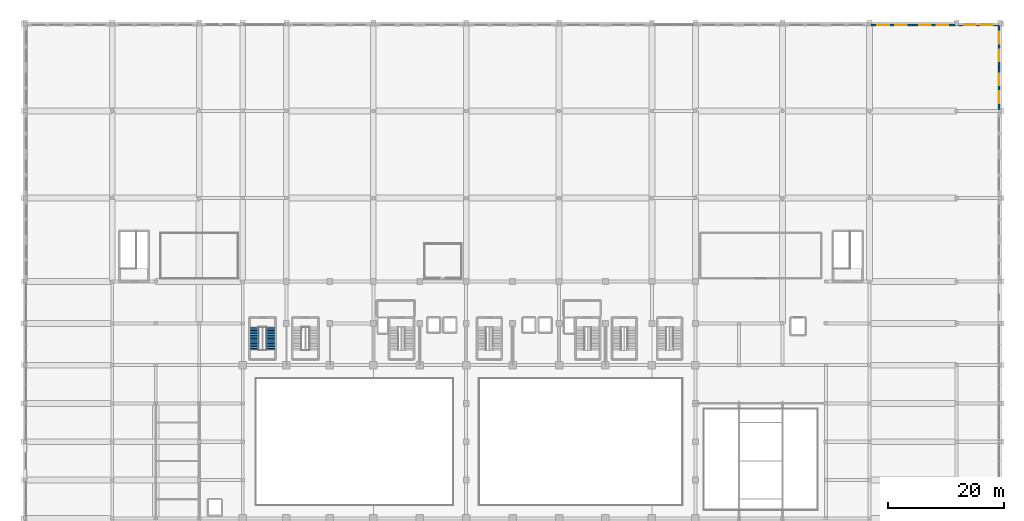
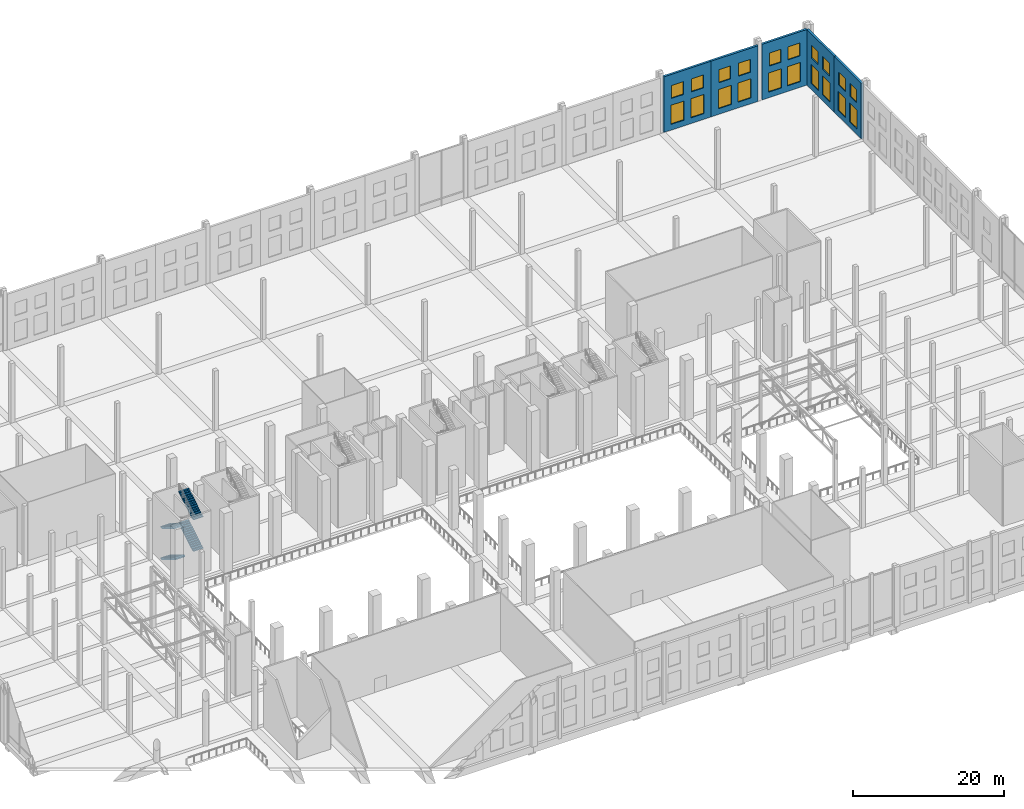
# One storey, part 73 of 80: 20 windows, 5 walls, 4 stair flights, 20 openings, 1 element without a shape of its own.
"""IFC4 building model written with IfcOpenShell, lengths in metres."""

from ifc_helpers import new_model, si_unit, direction, frame, frame_2d, origin, place, context, subcontext, project, spatial, polyline, rectangle, outline, extrude, material, layer, layer_set, type_object, element, fill, aggregate, save


model = new_model("IFC4")

# Units and contexts
model_context = context("Model", 3, precision=1e-05, world=origin(), true_north=direction((0.0, 1.0)))
body_context = subcontext(model_context, "Body", "Model", "MODEL_VIEW")
ifc_project = project(units=[si_unit("LENGTHUNIT", "METRE"), si_unit("AREAUNIT", "SQUARE_METRE"), si_unit("VOLUMEUNIT", "CUBIC_METRE"), si_unit("PLANEANGLEUNIT", "RADIAN"), si_unit("MASSUNIT", "GRAM", prefix="KILO")], contexts=[model_context])

# Site, building, storey
site_placement = place(None, origin())
site = spatial("IfcSite", under=ifc_project, at=site_placement, CompositionType="ELEMENT")
building_placement = place(site_placement, origin())
building = spatial("IfcBuilding", under=site, at=building_placement, Name="Akrevak Sports Hall", CompositionType="ELEMENT")
storey_placement = place(building_placement, frame((0.0, 0.0, 14.0)))
storey = spatial("IfcBuildingStorey", under=building, at=storey_placement, Name="L03", CompositionType="ELEMENT", Elevation=14.0)

# Wall, openings, windows
ifc_material_1 = material(Name="Limestone Ashlar", Category="stone")
ifc_layer_1 = layer(ifc_material_1, 0.070068359375, Name="Limestone Ashlar")
ifc_material_2 = material(Name="Mineral Wool Thermal Insulation", Category="insulation")
ifc_layer_2 = layer(ifc_material_2, 0.10009765625, Name="Mineral Wool Thermal Insulation")
ifc_material_3 = material(Name="Concrete C40/50", Category="concrete")
ifc_layer_3 = layer(ifc_material_3, 0.169921875, Name="Concrete C40/50")
ifc_layer_set = layer_set([ifc_layer_1, ifc_layer_2, ifc_layer_3], Name="Limestone Ashlar / Mineral Wool Thermal Insulation / Concrete C40/50")
wall_type = type_object("IfcWallType", Name="ARC-WL-EXT-340", PredefinedType="SOLIDWALL", material=ifc_layer_set)
wall_1_placement = place(storey_placement, frame((153.0, 113.830078125, 0.0), z_axis=(0.0, 0.0, 1.0), x_axis=(-1.0, 0.0, 0.0)))
wall_1 = element("IfcWall", 1, at=wall_1_placement, inside=storey, type_object=wall_type, Name="Exterior Limestone Wall L03-N20", PredefinedType="SOLIDWALL", context=body_context, shape_type="SweptSolid", body=[
    extrude(rectangle(XDim=7.22509765625, YDim=0.340087890625, at=frame_2d((3.612548828125, 0.0))), origin(), (0.0, 0.0, 1.0), 9.0),
])
opening_1_placement = place(wall_1_placement, frame((4.1298828125, 0.0, 0.919921875)))
opening_1 = element("IfcOpeningElement", 2, at=opening_1_placement, cuts=wall_1, Name="Opening WN-41", PredefinedType="OPENING", context=body_context, shape_type="SweptSolid", body=[
    extrude(rectangle(XDim=2.0, YDim=3.10009765625, at=frame_2d((1.0, 1.550048828125))), frame((0.0, 0.18212890625, 0.0), z_axis=(0.0, -1.0, 0.0), x_axis=(1.0, 0.0, 0.0)), (0.0, 0.0, 1.0), 0.364013671875),
])
opening_2_placement = place(wall_1_placement, frame((4.229736328125, 0.0, 5.10009765625)))
opening_2 = element("IfcOpeningElement", 3, at=opening_2_placement, cuts=wall_1, Name="Opening WN-37", PredefinedType="OPENING", context=body_context, shape_type="SweptSolid", body=[
    extrude(rectangle(XDim=1.800048828125, YDim=2.10009765625, at=frame_2d((0.89990234375, 1.050048828125))), frame((0.0, 0.18212890625, 0.0), z_axis=(0.0, -1.0, 0.0), x_axis=(1.0, 0.0, 0.0)), (0.0, 0.0, 1.0), 0.364013671875),
])
opening_3_placement = place(wall_1_placement, frame((1.09521484375, 0.0, 0.919921875)))
opening_3 = element("IfcOpeningElement", 4, at=opening_3_placement, cuts=wall_1, Name="Opening WN-41", PredefinedType="OPENING", context=body_context, shape_type="SweptSolid", body=[
    extrude(rectangle(XDim=2.0, YDim=3.10009765625, at=frame_2d((1.0, 1.550048828125))), frame((0.0, 0.18212890625, 0.0), z_axis=(0.0, -1.0, 0.0), x_axis=(1.0, 0.0, 0.0)), (0.0, 0.0, 1.0), 0.364013671875),
])
opening_4_placement = place(wall_1_placement, frame((1.1953125, 0.0, 5.10009765625)))
opening_4 = element("IfcOpeningElement", 5, at=opening_4_placement, cuts=wall_1, Name="Opening WN-37", PredefinedType="OPENING", context=body_context, shape_type="SweptSolid", body=[
    extrude(rectangle(XDim=1.800048828125, YDim=2.10009765625, at=frame_2d((0.89990234375, 1.050048828125))), frame((0.0, 0.18212890625, 0.0), z_axis=(0.0, -1.0, 0.0), x_axis=(1.0, 0.0, 0.0)), (0.0, 0.0, 1.0), 0.364013671875),
])
ifc_material_4 = material(Name="Thermally Broken Bronze Frame & Double Low-E Glass", Category="glass")
window_type_1 = type_object("IfcWindowType", Name="ARC-WIN-SZ-1800x2100", PartitioningType="SINGLE_PANEL", PredefinedType="WINDOW", material=ifc_material_4)
window_1_placement = place(opening_2_placement, origin())
window_1 = element("IfcWindow", 6, at=window_1_placement, inside=storey, type_object=window_type_1, Name="Beaux-Arts Attic Clerestory Window WIN-L03-N20-1U", OverallHeight=2.10009765625, OverallWidth=1.800048828125, PartitioningType="SINGLE_PANEL", PredefinedType="WINDOW", context=body_context, shape_type="SweptSolid", body=[
    extrude(rectangle(XDim=1.800048828125, YDim=2.10009765625, at=frame_2d((0.89990234375, 1.050048828125))), frame((0.0, 0.030029296875, 0.0), z_axis=(0.0, -1.0, 0.0), x_axis=(1.0, 0.0, 0.0)), (0.0, 0.0, 1.0), 0.06005859375),
])
fill(opening_2, window_1)
window_2_placement = place(opening_4_placement, origin())
window_2 = element("IfcWindow", 7, at=window_2_placement, inside=storey, type_object=window_type_1, Name="Beaux-Arts Attic Clerestory Window WIN-L03-N20-2U", OverallHeight=2.10009765625, OverallWidth=1.800048828125, PartitioningType="SINGLE_PANEL", PredefinedType="WINDOW", context=body_context, shape_type="SweptSolid", body=[
    extrude(rectangle(XDim=1.800048828125, YDim=2.10009765625, at=frame_2d((0.89990234375, 1.050048828125))), frame((0.0, 0.030029296875, 0.0), z_axis=(0.0, -1.0, 0.0), x_axis=(1.0, 0.0, 0.0)), (0.0, 0.0, 1.0), 0.06005859375),
])
fill(opening_4, window_2)
window_type_2 = type_object("IfcWindowType", Name="ARC-WIN-SZ-2000x3100", PartitioningType="SINGLE_PANEL", PredefinedType="WINDOW", material=ifc_material_4)
window_3_placement = place(opening_1_placement, origin())
window_3 = element("IfcWindow", 8, at=window_3_placement, inside=storey, type_object=window_type_2, Name="Beaux-Arts Facade Window WIN-L03-N20-1", OverallHeight=3.10009765625, OverallWidth=2.0, PartitioningType="SINGLE_PANEL", PredefinedType="WINDOW", context=body_context, shape_type="SweptSolid", body=[
    extrude(rectangle(XDim=2.0, YDim=3.10009765625, at=frame_2d((1.0, 1.550048828125))), frame((0.0, 0.030029296875, 0.0), z_axis=(0.0, -1.0, 0.0), x_axis=(1.0, 0.0, 0.0)), (0.0, 0.0, 1.0), 0.06005859375),
])
fill(opening_1, window_3)
window_4_placement = place(opening_3_placement, origin())
window_4 = element("IfcWindow", 9, at=window_4_placement, inside=storey, type_object=window_type_2, Name="Beaux-Arts Facade Window WIN-L03-N20-2", OverallHeight=3.10009765625, OverallWidth=2.0, PartitioningType="SINGLE_PANEL", PredefinedType="WINDOW", context=body_context, shape_type="SweptSolid", body=[
    extrude(rectangle(XDim=2.0, YDim=3.10009765625, at=frame_2d((1.0, 1.550048828125))), frame((0.0, 0.030029296875, 0.0), z_axis=(0.0, -1.0, 0.0), x_axis=(1.0, 0.0, 0.0)), (0.0, 0.0, 1.0), 0.06005859375),
])
fill(opening_3, window_4)

wall_2_placement = place(storey_placement, frame((160.199951171875, 113.830078125, 0.0), z_axis=(0.0, 0.0, 1.0), x_axis=(-1.0, 0.0, 0.0)))
wall_2 = element("IfcWall", 10, at=wall_2_placement, inside=storey, type_object=wall_type, Name="Exterior Limestone Wall L03-N21", PredefinedType="SOLIDWALL", context=body_context, shape_type="SweptSolid", body=[
    extrude(rectangle(XDim=7.199951171875, YDim=0.340087890625, at=frame_2d((3.60009765625, 0.0))), origin(), (0.0, 0.0, 1.0), 9.0),
])
opening_5_placement = place(wall_2_placement, frame((4.112060546875, 0.0, 0.919921875)))
opening_5 = element("IfcOpeningElement", 11, at=opening_5_placement, cuts=wall_2, Name="Opening WN-41", PredefinedType="OPENING", context=body_context, shape_type="SweptSolid", body=[
    extrude(rectangle(XDim=2.0, YDim=3.10009765625, at=frame_2d((1.0, 1.550048828125))), frame((0.0, 0.18212890625, 0.0), z_axis=(0.0, -1.0, 0.0), x_axis=(1.0, 0.0, 0.0)), (0.0, 0.0, 1.0), 0.364013671875),
])
opening_6_placement = place(wall_2_placement, frame((4.2119140625, 0.0, 5.10009765625)))
opening_6 = element("IfcOpeningElement", 12, at=opening_6_placement, cuts=wall_2, Name="Opening WN-37", PredefinedType="OPENING", context=body_context, shape_type="SweptSolid", body=[
    extrude(rectangle(XDim=1.800048828125, YDim=2.10009765625, at=frame_2d((0.89990234375, 1.050048828125))), frame((0.0, 0.18212890625, 0.0), z_axis=(0.0, -1.0, 0.0), x_axis=(1.0, 0.0, 0.0)), (0.0, 0.0, 1.0), 0.364013671875),
])
opening_7_placement = place(wall_2_placement, frame((1.087890625, 0.0, 0.919921875)))
opening_7 = element("IfcOpeningElement", 13, at=opening_7_placement, cuts=wall_2, Name="Opening WN-41", PredefinedType="OPENING", context=body_context, shape_type="SweptSolid", body=[
    extrude(rectangle(XDim=2.0, YDim=3.10009765625, at=frame_2d((1.0, 1.550048828125))), frame((0.0, 0.18212890625, 0.0), z_axis=(0.0, -1.0, 0.0), x_axis=(1.0, 0.0, 0.0)), (0.0, 0.0, 1.0), 0.364013671875),
])
opening_8_placement = place(wall_2_placement, frame((1.18798828125, 0.0, 5.10009765625)))
opening_8 = element("IfcOpeningElement", 14, at=opening_8_placement, cuts=wall_2, Name="Opening WN-37", PredefinedType="OPENING", context=body_context, shape_type="SweptSolid", body=[
    extrude(rectangle(XDim=1.800048828125, YDim=2.10009765625, at=frame_2d((0.89990234375, 1.050048828125))), frame((0.0, 0.18212890625, 0.0), z_axis=(0.0, -1.0, 0.0), x_axis=(1.0, 0.0, 0.0)), (0.0, 0.0, 1.0), 0.364013671875),
])
window_5_placement = place(opening_6_placement, origin())
window_5 = element("IfcWindow", 15, at=window_5_placement, inside=storey, type_object=window_type_1, Name="Beaux-Arts Attic Clerestory Window WIN-L03-N21-1U", OverallHeight=2.10009765625, OverallWidth=1.800048828125, PartitioningType="SINGLE_PANEL", PredefinedType="WINDOW", context=body_context, shape_type="SweptSolid", body=[
    extrude(rectangle(XDim=1.800048828125, YDim=2.10009765625, at=frame_2d((0.89990234375, 1.050048828125))), frame((0.0, 0.030029296875, 0.0), z_axis=(0.0, -1.0, 0.0), x_axis=(1.0, 0.0, 0.0)), (0.0, 0.0, 1.0), 0.06005859375),
])
fill(opening_6, window_5)
window_6_placement = place(opening_8_placement, origin())
window_6 = element("IfcWindow", 16, at=window_6_placement, inside=storey, type_object=window_type_1, Name="Beaux-Arts Attic Clerestory Window WIN-L03-N21-2U", OverallHeight=2.10009765625, OverallWidth=1.800048828125, PartitioningType="SINGLE_PANEL", PredefinedType="WINDOW", context=body_context, shape_type="SweptSolid", body=[
    extrude(rectangle(XDim=1.800048828125, YDim=2.10009765625, at=frame_2d((0.89990234375, 1.050048828125))), frame((0.0, 0.030029296875, 0.0), z_axis=(0.0, -1.0, 0.0), x_axis=(1.0, 0.0, 0.0)), (0.0, 0.0, 1.0), 0.06005859375),
])
fill(opening_8, window_6)
window_7_placement = place(opening_5_placement, origin())
window_7 = element("IfcWindow", 17, at=window_7_placement, inside=storey, type_object=window_type_2, Name="Beaux-Arts Facade Window WIN-L03-N21-1", OverallHeight=3.10009765625, OverallWidth=2.0, PartitioningType="SINGLE_PANEL", PredefinedType="WINDOW", context=body_context, shape_type="SweptSolid", body=[
    extrude(rectangle(XDim=2.0, YDim=3.10009765625, at=frame_2d((1.0, 1.550048828125))), frame((0.0, 0.030029296875, 0.0), z_axis=(0.0, -1.0, 0.0), x_axis=(1.0, 0.0, 0.0)), (0.0, 0.0, 1.0), 0.06005859375),
])
fill(opening_5, window_7)
window_8_placement = place(opening_7_placement, origin())
window_8 = element("IfcWindow", 18, at=window_8_placement, inside=storey, type_object=window_type_2, Name="Beaux-Arts Facade Window WIN-L03-N21-2", OverallHeight=3.10009765625, OverallWidth=2.0, PartitioningType="SINGLE_PANEL", PredefinedType="WINDOW", context=body_context, shape_type="SweptSolid", body=[
    extrude(rectangle(XDim=2.0, YDim=3.10009765625, at=frame_2d((1.0, 1.550048828125))), frame((0.0, 0.030029296875, 0.0), z_axis=(0.0, -1.0, 0.0), x_axis=(1.0, 0.0, 0.0)), (0.0, 0.0, 1.0), 0.06005859375),
])
fill(opening_7, window_8)

wall_3_placement = place(storey_placement, frame((167.699951171875, 113.830078125, 0.0), z_axis=(0.0, 0.0, 1.0), x_axis=(-1.0, 0.0, 0.0)))
wall_3 = element("IfcWall", 19, at=wall_3_placement, inside=storey, type_object=wall_type, Name="Exterior Limestone Wall L03-N22", PredefinedType="SOLIDWALL", context=body_context, shape_type="SweptSolid", body=[
    extrude(rectangle(XDim=6.89990234375, YDim=0.340087890625, at=frame_2d((3.449951171875, 0.0))), origin(), (0.0, 0.0, 1.0), 9.0),
])
opening_9_placement = place(wall_3_placement, frame((3.89892578125, 0.0, 0.919921875)))
opening_9 = element("IfcOpeningElement", 20, at=opening_9_placement, cuts=wall_3, Name="Opening WN-41", PredefinedType="OPENING", context=body_context, shape_type="SweptSolid", body=[
    extrude(rectangle(XDim=2.0, YDim=3.10009765625, at=frame_2d((1.0, 1.550048828125))), frame((0.0, 0.18212890625, 0.0), z_axis=(0.0, -1.0, 0.0), x_axis=(1.0, 0.0, 0.0)), (0.0, 0.0, 1.0), 0.364013671875),
])
opening_10_placement = place(wall_3_placement, frame((3.9990234375, 0.0, 5.10009765625)))
opening_10 = element("IfcOpeningElement", 21, at=opening_10_placement, cuts=wall_3, Name="Opening WN-37", PredefinedType="OPENING", context=body_context, shape_type="SweptSolid", body=[
    extrude(rectangle(XDim=1.800048828125, YDim=2.10009765625, at=frame_2d((0.89990234375, 1.050048828125))), frame((0.0, 0.18212890625, 0.0), z_axis=(0.0, -1.0, 0.0), x_axis=(1.0, 0.0, 0.0)), (0.0, 0.0, 1.0), 0.364013671875),
])
opening_11_placement = place(wall_3_placement, frame((1.0009765625, 0.0, 0.919921875)))
opening_11 = element("IfcOpeningElement", 22, at=opening_11_placement, cuts=wall_3, Name="Opening WN-41", PredefinedType="OPENING", context=body_context, shape_type="SweptSolid", body=[
    extrude(rectangle(XDim=2.0, YDim=3.10009765625, at=frame_2d((1.0, 1.550048828125))), frame((0.0, 0.18212890625, 0.0), z_axis=(0.0, -1.0, 0.0), x_axis=(1.0, 0.0, 0.0)), (0.0, 0.0, 1.0), 0.364013671875),
])
opening_12_placement = place(wall_3_placement, frame((1.10107421875, 0.0, 5.10009765625)))
opening_12 = element("IfcOpeningElement", 23, at=opening_12_placement, cuts=wall_3, Name="Opening WN-37", PredefinedType="OPENING", context=body_context, shape_type="SweptSolid", body=[
    extrude(rectangle(XDim=1.800048828125, YDim=2.10009765625, at=frame_2d((0.89990234375, 1.050048828125))), frame((0.0, 0.18212890625, 0.0), z_axis=(0.0, -1.0, 0.0), x_axis=(1.0, 0.0, 0.0)), (0.0, 0.0, 1.0), 0.364013671875),
])
window_9_placement = place(opening_10_placement, origin())
window_9 = element("IfcWindow", 24, at=window_9_placement, inside=storey, type_object=window_type_1, Name="Beaux-Arts Attic Clerestory Window WIN-L03-N22-1U", OverallHeight=2.10009765625, OverallWidth=1.800048828125, PartitioningType="SINGLE_PANEL", PredefinedType="WINDOW", context=body_context, shape_type="SweptSolid", body=[
    extrude(rectangle(XDim=1.800048828125, YDim=2.10009765625, at=frame_2d((0.89990234375, 1.050048828125))), frame((0.0, 0.030029296875, 0.0), z_axis=(0.0, -1.0, 0.0), x_axis=(1.0, 0.0, 0.0)), (0.0, 0.0, 1.0), 0.06005859375),
])
fill(opening_10, window_9)
window_10_placement = place(opening_12_placement, origin())
window_10 = element("IfcWindow", 25, at=window_10_placement, inside=storey, type_object=window_type_1, Name="Beaux-Arts Attic Clerestory Window WIN-L03-N22-2U", OverallHeight=2.10009765625, OverallWidth=1.800048828125, PartitioningType="SINGLE_PANEL", PredefinedType="WINDOW", context=body_context, shape_type="SweptSolid", body=[
    extrude(rectangle(XDim=1.800048828125, YDim=2.10009765625, at=frame_2d((0.89990234375, 1.050048828125))), frame((0.0, 0.030029296875, 0.0), z_axis=(0.0, -1.0, 0.0), x_axis=(1.0, 0.0, 0.0)), (0.0, 0.0, 1.0), 0.06005859375),
])
fill(opening_12, window_10)
window_11_placement = place(opening_9_placement, origin())
window_11 = element("IfcWindow", 26, at=window_11_placement, inside=storey, type_object=window_type_2, Name="Beaux-Arts Facade Window WIN-L03-N22-1", OverallHeight=3.10009765625, OverallWidth=2.0, PartitioningType="SINGLE_PANEL", PredefinedType="WINDOW", context=body_context, shape_type="SweptSolid", body=[
    extrude(rectangle(XDim=2.0, YDim=3.10009765625, at=frame_2d((1.0, 1.550048828125))), frame((0.0, 0.030029296875, 0.0), z_axis=(0.0, -1.0, 0.0), x_axis=(1.0, 0.0, 0.0)), (0.0, 0.0, 1.0), 0.06005859375),
])
fill(opening_9, window_11)
window_12_placement = place(opening_11_placement, origin())
window_12 = element("IfcWindow", 27, at=window_12_placement, inside=storey, type_object=window_type_2, Name="Beaux-Arts Facade Window WIN-L03-N22-2", OverallHeight=3.10009765625, OverallWidth=2.0, PartitioningType="SINGLE_PANEL", PredefinedType="WINDOW", context=body_context, shape_type="SweptSolid", body=[
    extrude(rectangle(XDim=2.0, YDim=3.10009765625, at=frame_2d((1.0, 1.550048828125))), frame((0.0, 0.030029296875, 0.0), z_axis=(0.0, -1.0, 0.0), x_axis=(1.0, 0.0, 0.0)), (0.0, 0.0, 1.0), 0.06005859375),
])
fill(opening_11, window_12)

wall_4_placement = place(storey_placement, frame((167.830078125, 99.27490234375, 0.0), z_axis=(0.0, 0.0, 1.0), x_axis=(0.0, 1.0, 0.0)))
wall_4 = element("IfcWall", 28, at=wall_4_placement, inside=storey, type_object=wall_type, Name="Exterior Limestone Wall L03-E15", PredefinedType="SOLIDWALL", context=body_context, shape_type="SweptSolid", body=[
    extrude(rectangle(XDim=7.22509765625, YDim=0.340087890625, at=frame_2d((3.612548828125, 0.0))), origin(), (0.0, 0.0, 1.0), 9.0),
])
opening_13_placement = place(wall_4_placement, frame((1.09521484375, 0.0, 0.919921875)))
opening_13 = element("IfcOpeningElement", 29, at=opening_13_placement, cuts=wall_4, Name="Opening WN-41", PredefinedType="OPENING", context=body_context, shape_type="SweptSolid", body=[
    extrude(rectangle(XDim=2.0, YDim=3.10009765625, at=frame_2d((1.0, 1.550048828125))), frame((0.0, 0.18212890625, 0.0), z_axis=(0.0, -1.0, 0.0), x_axis=(1.0, 0.0, 0.0)), (0.0, 0.0, 1.0), 0.364013671875),
])
opening_14_placement = place(wall_4_placement, frame((1.1953125, 0.0, 5.10009765625)))
opening_14 = element("IfcOpeningElement", 30, at=opening_14_placement, cuts=wall_4, Name="Opening WN-37", PredefinedType="OPENING", context=body_context, shape_type="SweptSolid", body=[
    extrude(rectangle(XDim=1.800048828125, YDim=2.10009765625, at=frame_2d((0.89990234375, 1.050048828125))), frame((0.0, 0.18212890625, 0.0), z_axis=(0.0, -1.0, 0.0), x_axis=(1.0, 0.0, 0.0)), (0.0, 0.0, 1.0), 0.364013671875),
])
opening_15_placement = place(wall_4_placement, frame((4.1298828125, 0.0, 0.919921875)))
opening_15 = element("IfcOpeningElement", 31, at=opening_15_placement, cuts=wall_4, Name="Opening WN-41", PredefinedType="OPENING", context=body_context, shape_type="SweptSolid", body=[
    extrude(rectangle(XDim=2.0, YDim=3.10009765625, at=frame_2d((1.0, 1.550048828125))), frame((0.0, 0.18212890625, 0.0), z_axis=(0.0, -1.0, 0.0), x_axis=(1.0, 0.0, 0.0)), (0.0, 0.0, 1.0), 0.364013671875),
])
opening_16_placement = place(wall_4_placement, frame((4.229736328125, 0.0, 5.10009765625)))
opening_16 = element("IfcOpeningElement", 32, at=opening_16_placement, cuts=wall_4, Name="Opening WN-37", PredefinedType="OPENING", context=body_context, shape_type="SweptSolid", body=[
    extrude(rectangle(XDim=1.800048828125, YDim=2.10009765625, at=frame_2d((0.89990234375, 1.050048828125))), frame((0.0, 0.18212890625, 0.0), z_axis=(0.0, -1.0, 0.0), x_axis=(1.0, 0.0, 0.0)), (0.0, 0.0, 1.0), 0.364013671875),
])
window_13_placement = place(opening_14_placement, origin())
window_13 = element("IfcWindow", 33, at=window_13_placement, inside=storey, type_object=window_type_1, Name="Beaux-Arts Attic Clerestory Window WIN-L03-E15-1U", OverallHeight=2.10009765625, OverallWidth=1.800048828125, PartitioningType="SINGLE_PANEL", PredefinedType="WINDOW", context=body_context, shape_type="SweptSolid", body=[
    extrude(rectangle(XDim=1.800048828125, YDim=2.10009765625, at=frame_2d((0.89990234375, 1.050048828125))), frame((0.0, 0.030029296875, 0.0), z_axis=(0.0, -1.0, 0.0), x_axis=(1.0, 0.0, 0.0)), (0.0, 0.0, 1.0), 0.06005859375),
])
fill(opening_14, window_13)
window_14_placement = place(opening_16_placement, origin())
window_14 = element("IfcWindow", 34, at=window_14_placement, inside=storey, type_object=window_type_1, Name="Beaux-Arts Attic Clerestory Window WIN-L03-E15-2U", OverallHeight=2.10009765625, OverallWidth=1.800048828125, PartitioningType="SINGLE_PANEL", PredefinedType="WINDOW", context=body_context, shape_type="SweptSolid", body=[
    extrude(rectangle(XDim=1.800048828125, YDim=2.10009765625, at=frame_2d((0.89990234375, 1.050048828125))), frame((0.0, 0.030029296875, 0.0), z_axis=(0.0, -1.0, 0.0), x_axis=(1.0, 0.0, 0.0)), (0.0, 0.0, 1.0), 0.06005859375),
])
fill(opening_16, window_14)
window_15_placement = place(opening_13_placement, origin())
window_15 = element("IfcWindow", 35, at=window_15_placement, inside=storey, type_object=window_type_2, Name="Beaux-Arts Facade Window WIN-L03-E15-1", OverallHeight=3.10009765625, OverallWidth=2.0, PartitioningType="SINGLE_PANEL", PredefinedType="WINDOW", context=body_context, shape_type="SweptSolid", body=[
    extrude(rectangle(XDim=2.0, YDim=3.10009765625, at=frame_2d((1.0, 1.550048828125))), frame((0.0, 0.030029296875, 0.0), z_axis=(0.0, -1.0, 0.0), x_axis=(1.0, 0.0, 0.0)), (0.0, 0.0, 1.0), 0.06005859375),
])
fill(opening_13, window_15)
window_16_placement = place(opening_15_placement, origin())
window_16 = element("IfcWindow", 36, at=window_16_placement, inside=storey, type_object=window_type_2, Name="Beaux-Arts Facade Window WIN-L03-E15-2", OverallHeight=3.10009765625, OverallWidth=2.0, PartitioningType="SINGLE_PANEL", PredefinedType="WINDOW", context=body_context, shape_type="SweptSolid", body=[
    extrude(rectangle(XDim=2.0, YDim=3.10009765625, at=frame_2d((1.0, 1.550048828125))), frame((0.0, 0.030029296875, 0.0), z_axis=(0.0, -1.0, 0.0), x_axis=(1.0, 0.0, 0.0)), (0.0, 0.0, 1.0), 0.06005859375),
])
fill(opening_15, window_16)

wall_5_placement = place(storey_placement, frame((167.830078125, 106.5, 0.0), z_axis=(0.0, 0.0, 1.0), x_axis=(0.0, 1.0, 0.0)))
wall_5 = element("IfcWall", 37, at=wall_5_placement, inside=storey, type_object=wall_type, Name="Exterior Limestone Wall L03-E16", PredefinedType="SOLIDWALL", context=body_context, shape_type="SweptSolid", body=[
    extrude(rectangle(XDim=7.199951171875, YDim=0.340087890625, at=frame_2d((3.60009765625, 0.0))), origin(), (0.0, 0.0, 1.0), 9.0),
])
opening_17_placement = place(wall_5_placement, frame((1.087890625, 0.0, 0.919921875)))
opening_17 = element("IfcOpeningElement", 38, at=opening_17_placement, cuts=wall_5, Name="Opening WN-41", PredefinedType="OPENING", context=body_context, shape_type="SweptSolid", body=[
    extrude(rectangle(XDim=2.0, YDim=3.10009765625, at=frame_2d((1.0, 1.550048828125))), frame((0.0, 0.18212890625, 0.0), z_axis=(0.0, -1.0, 0.0), x_axis=(1.0, 0.0, 0.0)), (0.0, 0.0, 1.0), 0.364013671875),
])
opening_18_placement = place(wall_5_placement, frame((1.18798828125, 0.0, 5.10009765625)))
opening_18 = element("IfcOpeningElement", 39, at=opening_18_placement, cuts=wall_5, Name="Opening WN-37", PredefinedType="OPENING", context=body_context, shape_type="SweptSolid", body=[
    extrude(rectangle(XDim=1.800048828125, YDim=2.10009765625, at=frame_2d((0.89990234375, 1.050048828125))), frame((0.0, 0.18212890625, 0.0), z_axis=(0.0, -1.0, 0.0), x_axis=(1.0, 0.0, 0.0)), (0.0, 0.0, 1.0), 0.364013671875),
])
opening_19_placement = place(wall_5_placement, frame((4.112060546875, 0.0, 0.919921875)))
opening_19 = element("IfcOpeningElement", 40, at=opening_19_placement, cuts=wall_5, Name="Opening WN-41", PredefinedType="OPENING", context=body_context, shape_type="SweptSolid", body=[
    extrude(rectangle(XDim=2.0, YDim=3.10009765625, at=frame_2d((1.0, 1.550048828125))), frame((0.0, 0.18212890625, 0.0), z_axis=(0.0, -1.0, 0.0), x_axis=(1.0, 0.0, 0.0)), (0.0, 0.0, 1.0), 0.364013671875),
])
opening_20_placement = place(wall_5_placement, frame((4.2119140625, 0.0, 5.10009765625)))
opening_20 = element("IfcOpeningElement", 41, at=opening_20_placement, cuts=wall_5, Name="Opening WN-37", PredefinedType="OPENING", context=body_context, shape_type="SweptSolid", body=[
    extrude(rectangle(XDim=1.800048828125, YDim=2.10009765625, at=frame_2d((0.89990234375, 1.050048828125))), frame((0.0, 0.18212890625, 0.0), z_axis=(0.0, -1.0, 0.0), x_axis=(1.0, 0.0, 0.0)), (0.0, 0.0, 1.0), 0.364013671875),
])
window_17_placement = place(opening_18_placement, origin())
window_17 = element("IfcWindow", 42, at=window_17_placement, inside=storey, type_object=window_type_1, Name="Beaux-Arts Attic Clerestory Window WIN-L03-E16-1U", OverallHeight=2.10009765625, OverallWidth=1.800048828125, PartitioningType="SINGLE_PANEL", PredefinedType="WINDOW", context=body_context, shape_type="SweptSolid", body=[
    extrude(rectangle(XDim=1.800048828125, YDim=2.10009765625, at=frame_2d((0.89990234375, 1.050048828125))), frame((0.0, 0.030029296875, 0.0), z_axis=(0.0, -1.0, 0.0), x_axis=(1.0, 0.0, 0.0)), (0.0, 0.0, 1.0), 0.06005859375),
])
fill(opening_18, window_17)
window_18_placement = place(opening_20_placement, origin())
window_18 = element("IfcWindow", 43, at=window_18_placement, inside=storey, type_object=window_type_1, Name="Beaux-Arts Attic Clerestory Window WIN-L03-E16-2U", OverallHeight=2.10009765625, OverallWidth=1.800048828125, PartitioningType="SINGLE_PANEL", PredefinedType="WINDOW", context=body_context, shape_type="SweptSolid", body=[
    extrude(rectangle(XDim=1.800048828125, YDim=2.10009765625, at=frame_2d((0.89990234375, 1.050048828125))), frame((0.0, 0.030029296875, 0.0), z_axis=(0.0, -1.0, 0.0), x_axis=(1.0, 0.0, 0.0)), (0.0, 0.0, 1.0), 0.06005859375),
])
fill(opening_20, window_18)
window_19_placement = place(opening_17_placement, origin())
window_19 = element("IfcWindow", 44, at=window_19_placement, inside=storey, type_object=window_type_2, Name="Beaux-Arts Facade Window WIN-L03-E16-1", OverallHeight=3.10009765625, OverallWidth=2.0, PartitioningType="SINGLE_PANEL", PredefinedType="WINDOW", context=body_context, shape_type="SweptSolid", body=[
    extrude(rectangle(XDim=2.0, YDim=3.10009765625, at=frame_2d((1.0, 1.550048828125))), frame((0.0, 0.030029296875, 0.0), z_axis=(0.0, -1.0, 0.0), x_axis=(1.0, 0.0, 0.0)), (0.0, 0.0, 1.0), 0.06005859375),
])
fill(opening_17, window_19)
window_20_placement = place(opening_19_placement, origin())
window_20 = element("IfcWindow", 45, at=window_20_placement, inside=storey, type_object=window_type_2, Name="Beaux-Arts Facade Window WIN-L03-E16-2", OverallHeight=3.10009765625, OverallWidth=2.0, PartitioningType="SINGLE_PANEL", PredefinedType="WINDOW", context=body_context, shape_type="SweptSolid", body=[
    extrude(rectangle(XDim=2.0, YDim=3.10009765625, at=frame_2d((1.0, 1.550048828125))), frame((0.0, 0.030029296875, 0.0), z_axis=(0.0, -1.0, 0.0), x_axis=(1.0, 0.0, 0.0)), (0.0, 0.0, 1.0), 0.06005859375),
])
fill(opening_19, window_20)

# Stair, stair flights
stair_type = type_object("IfcStairType", Name="ARC-STR-MDOG-1015", PredefinedType="HALF_TURN_STAIR", material=ifc_material_3)
stair_placement = place(storey_placement, origin())
stair = element("IfcStair", 46, at=stair_placement, inside=storey, type_object=stair_type, Name="Transfer West Exit Stair ST9 (L03 to L04)", PredefinedType="HALF_TURN_STAIR")
stair_flight_type = type_object("IfcStairFlightType", Name="ARC-FLT-200-169", PredefinedType="STRAIGHT", material=ifc_material_3)
stair_flight_1_placement = place(storey_placement, frame((39.514892578125, 61.735107421875, 0.0), z_axis=(0.0, 0.0, 1.0), x_axis=(0.0, -1.0, 0.0)))
stair_flight_1 = element("IfcStairFlight", 47, at=stair_flight_1_placement, type_object=stair_flight_type, Name="Stair ST9 Flight 1 (L03)", NumberOfRisers=15, NumberOfTreads=14, PredefinedType="STRAIGHT", RiserHeight=0.169167, TreadLength=0.28, context=body_context, shape_type="SweptSolid", body=[
    extrude(outline(polyline([(0.0, 0.0), (0.0, 0.169189453125), (0.280029296875, 0.169189453125), (0.280029296875, 0.33837890625), (0.56005859375, 0.33837890625), (0.56005859375, 0.507568359375), (0.840087890625, 0.507568359375), (0.840087890625, 0.6767578125), (1.1201171875, 0.6767578125), (1.1201171875, 0.845947265625), (1.39990234375, 0.845947265625), (1.39990234375, 1.014892578125), (1.679931640625, 1.014892578125), (1.679931640625, 1.18408203125), (1.9599609375, 1.18408203125), (1.9599609375, 1.353271484375), (2.239990234375, 1.353271484375), (2.239990234375, 1.5224609375), (2.52001953125, 1.5224609375), (2.52001953125, 1.691650390625), (2.800048828125, 1.691650390625), (2.800048828125, 1.86083984375), (3.080078125, 1.86083984375), (3.080078125, 2.030029296875), (3.360107421875, 2.030029296875), (3.360107421875, 2.19921875), (3.639892578125, 2.19921875), (3.639892578125, 2.368408203125), (3.919921875, 2.368408203125), (3.919921875, 2.53759765625), (3.919921875, 2.134765625), (0.38671875, 0.0), (0.0, 0.0)])), frame((0.0, 0.7548828125, 0.0), z_axis=(0.0, -1.0, 0.0), x_axis=(1.0, 0.0, 0.0)), (0.0, 0.0, 1.0), 1.510009765625),
])
stair_flight_2_placement = place(storey_placement, frame((42.284912109375, 57.81494140625, 2.53759765625), z_axis=(0.0, 0.0, 1.0), x_axis=(0.0, 1.0, 0.0)))
stair_flight_2 = element("IfcStairFlight", 48, at=stair_flight_2_placement, type_object=stair_flight_type, Name="Stair ST9 Flight 2 (L03)", NumberOfRisers=15, NumberOfTreads=14, PredefinedType="STRAIGHT", RiserHeight=0.169167, TreadLength=0.28, context=body_context, shape_type="SweptSolid", body=[
    extrude(outline(polyline([(0.0, 0.0), (0.0, 0.169189453125), (0.280029296875, 0.169189453125), (0.280029296875, 0.33837890625), (0.56005859375, 0.33837890625), (0.56005859375, 0.507568359375), (0.840087890625, 0.507568359375), (0.840087890625, 0.6767578125), (1.1201171875, 0.6767578125), (1.1201171875, 0.845947265625), (1.39990234375, 0.845947265625), (1.39990234375, 1.014892578125), (1.679931640625, 1.014892578125), (1.679931640625, 1.18408203125), (1.9599609375, 1.18408203125), (1.9599609375, 1.353271484375), (2.239990234375, 1.353271484375), (2.239990234375, 1.5224609375), (2.52001953125, 1.5224609375), (2.52001953125, 1.691650390625), (2.800048828125, 1.691650390625), (2.800048828125, 1.86083984375), (3.080078125, 1.86083984375), (3.080078125, 2.030029296875), (3.360107421875, 2.030029296875), (3.360107421875, 2.19921875), (3.639892578125, 2.19921875), (3.639892578125, 2.368408203125), (3.919921875, 2.368408203125), (3.919921875, 2.53759765625), (3.919921875, 2.134765625), (0.38671875, 0.0), (0.0, 0.0)])), frame((0.0, 0.7548828125, 0.0), z_axis=(0.0, -1.0, 0.0), x_axis=(1.0, 0.0, 0.0)), (0.0, 0.0, 1.0), 1.510009765625),
])
stair_flight_3_placement = place(storey_placement, frame((39.514892578125, 61.735107421875, 5.074951171875), z_axis=(0.0, 0.0, 1.0), x_axis=(0.0, -1.0, 0.0)))
stair_flight_3 = element("IfcStairFlight", 49, at=stair_flight_3_placement, type_object=stair_flight_type, Name="Stair ST9 Flight 3 (L03)", NumberOfRisers=15, NumberOfTreads=14, PredefinedType="STRAIGHT", RiserHeight=0.169167, TreadLength=0.28, context=body_context, shape_type="SweptSolid", body=[
    extrude(outline(polyline([(0.0, 0.0), (0.0, 0.169189453125), (0.280029296875, 0.169189453125), (0.280029296875, 0.33837890625), (0.56005859375, 0.33837890625), (0.56005859375, 0.507568359375), (0.840087890625, 0.507568359375), (0.840087890625, 0.6767578125), (1.1201171875, 0.6767578125), (1.1201171875, 0.845947265625), (1.39990234375, 0.845947265625), (1.39990234375, 1.014892578125), (1.679931640625, 1.014892578125), (1.679931640625, 1.18408203125), (1.9599609375, 1.18408203125), (1.9599609375, 1.353271484375), (2.239990234375, 1.353271484375), (2.239990234375, 1.5224609375), (2.52001953125, 1.5224609375), (2.52001953125, 1.691650390625), (2.800048828125, 1.691650390625), (2.800048828125, 1.86083984375), (3.080078125, 1.86083984375), (3.080078125, 2.030029296875), (3.360107421875, 2.030029296875), (3.360107421875, 2.19921875), (3.639892578125, 2.19921875), (3.639892578125, 2.368408203125), (3.919921875, 2.368408203125), (3.919921875, 2.53759765625), (3.919921875, 2.134765625), (0.38671875, 0.0), (0.0, 0.0)])), frame((0.0, 0.7548828125, 0.0), z_axis=(0.0, -1.0, 0.0), x_axis=(1.0, 0.0, 0.0)), (0.0, 0.0, 1.0), 1.510009765625),
])
stair_flight_4_placement = place(storey_placement, frame((42.284912109375, 57.81494140625, 7.612548828125), z_axis=(0.0, 0.0, 1.0), x_axis=(0.0, 1.0, 0.0)))
stair_flight_4 = element("IfcStairFlight", 50, at=stair_flight_4_placement, type_object=stair_flight_type, Name="Stair ST9 Flight 4 (L03)", NumberOfRisers=15, NumberOfTreads=14, PredefinedType="STRAIGHT", RiserHeight=0.169167, TreadLength=0.28, context=body_context, shape_type="SweptSolid", body=[
    extrude(outline(polyline([(0.0, 0.0), (0.0, 0.169189453125), (0.280029296875, 0.169189453125), (0.280029296875, 0.33837890625), (0.56005859375, 0.33837890625), (0.56005859375, 0.507568359375), (0.840087890625, 0.507568359375), (0.840087890625, 0.6767578125), (1.1201171875, 0.6767578125), (1.1201171875, 0.845947265625), (1.39990234375, 0.845947265625), (1.39990234375, 1.014892578125), (1.679931640625, 1.014892578125), (1.679931640625, 1.18408203125), (1.9599609375, 1.18408203125), (1.9599609375, 1.353271484375), (2.239990234375, 1.353271484375), (2.239990234375, 1.5224609375), (2.52001953125, 1.5224609375), (2.52001953125, 1.691650390625), (2.800048828125, 1.691650390625), (2.800048828125, 1.86083984375), (3.080078125, 1.86083984375), (3.080078125, 2.030029296875), (3.360107421875, 2.030029296875), (3.360107421875, 2.19921875), (3.639892578125, 2.19921875), (3.639892578125, 2.368408203125), (3.919921875, 2.368408203125), (3.919921875, 2.53759765625), (3.919921875, 2.134765625), (0.38671875, 0.0), (0.0, 0.0)])), frame((0.0, 0.7548828125, 0.0), z_axis=(0.0, -1.0, 0.0), x_axis=(1.0, 0.0, 0.0)), (0.0, 0.0, 1.0), 1.510009765625),
])
aggregate(stair, [stair_flight_1, stair_flight_2, stair_flight_3, stair_flight_4])

save(model, "model.ifc")
